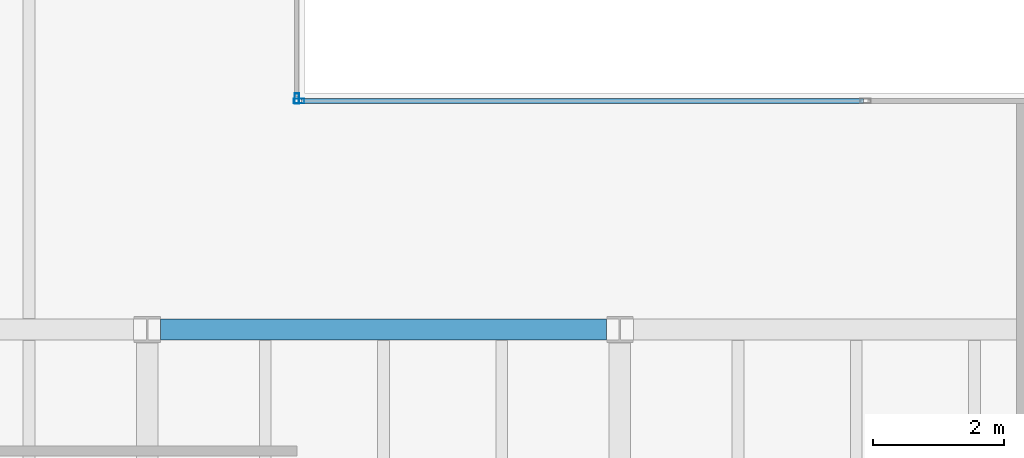
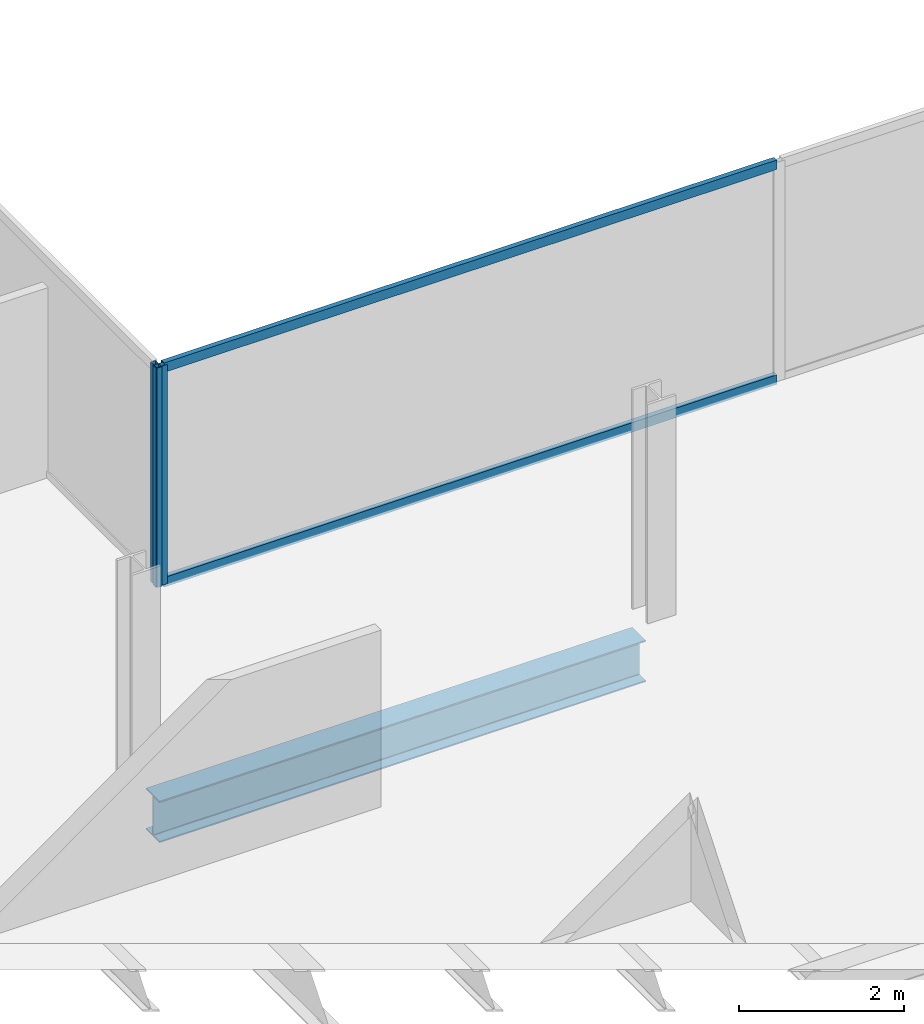
# One storey, part 8 of 23: 4 members, 1 beam, 2 elements without a shape of their own.
"""IFC4 building model written with IfcOpenShell, lengths in metres."""

from ifc_helpers import new_model, si_unit, direction, frame, origin, origin_2d, place, context, subcontext, project, spatial, hollow_rectangle, i_section, extrude, material, material_profile, profile_set, type_object, element, aggregate, save


model = new_model("IFC4")

# Units and contexts
model_context = context("Model", 3, precision=1e-05, world=origin(), true_north=direction((0.0, 1.0)))
body_context = subcontext(model_context, "Body", "Model", "MODEL_VIEW")
ifc_project = project(units=[si_unit("LENGTHUNIT", "METRE"), si_unit("AREAUNIT", "SQUARE_METRE"), si_unit("VOLUMEUNIT", "CUBIC_METRE"), si_unit("PLANEANGLEUNIT", "RADIAN"), si_unit("MASSUNIT", "GRAM", prefix="KILO")], contexts=[model_context])

# Site, building, storey
site_placement = place(None, origin())
site = spatial("IfcSite", under=ifc_project, at=site_placement, CompositionType="ELEMENT")
building_placement = place(site_placement, origin())
building = spatial("IfcBuilding", under=site, at=building_placement, Name="Cobrela Telecom Tower", CompositionType="ELEMENT")
storey_placement = place(building_placement, frame((0.0, 0.0, 222.25)))
storey = spatial("IfcBuildingStorey", under=building, at=storey_placement, Name="L57", CompositionType="ELEMENT", Elevation=222.25)

# Beam
ifc_material_1 = material(Name="Steel ASTM A992 Grade 50", Category="steel")
ifc_material_profile_1 = material_profile(ifc_material_1, i_section(OverallWidth=0.324951171875, OverallDepth=0.612060546875, WebThickness=0.0126953125, FlangeThickness=0.01904296875, FilletRadius=0.014892578125, at=origin_2d()), Name="W24X104")
ifc_profile_set_1 = profile_set([ifc_material_profile_1], Name="Steel ASTM A992 Grade 50")
beam_type = type_object("IfcBeamType", Name="BM-GIRD-07", PredefinedType="USERDEFINED", material=ifc_profile_set_1)
beam_placement = place(storey_placement, frame((21.804443359375, 21.60009765625, -0.56591796875), z_axis=(1.0, 0.0, 0.0), x_axis=(0.0, 1.0, 0.0)))
element("IfcBeam", 1, at=beam_placement, inside=storey, type_object=beam_type, Name="L57 Primary Girder X16", ObjectType="GIRDER", PredefinedType="USERDEFINED", context=body_context, shape_type="SweptSolid", body=[
    extrude(i_section(OverallWidth=0.324951171875, OverallDepth=0.612060546875, WebThickness=0.0126953125, FlangeThickness=0.01904296875, FilletRadius=0.014892578125, at=origin_2d()), origin(), (0.0, 0.0, 1.0), 6.791015625),
])

# Curtain wall, member
ifc_material_2 = material(Name="Anodized Bronze Aluminium 6063-T6", Category="aluminium")
curtain_wall_type = type_object("IfcCurtainWallType", Name="CW-SYS-OFF-LO", PredefinedType="USERDEFINED", material=ifc_material_2)
curtain_wall_1_placement = place(storey_placement, origin())
curtain_wall_1 = element("IfcCurtainWall", 2, at=curtain_wall_1_placement, inside=storey, type_object=curtain_wall_type, Name="L57 Unitised Bronze Curtain Wall 10", ObjectType="UNITISED CURTAIN WALL", PredefinedType="USERDEFINED")
ifc_material_profile_2 = material_profile(ifc_material_2, hollow_rectangle(XDim=0.070068359375, YDim=0.159912109375, WallThickness=0.00390625, at=origin_2d()), Name="ALU 70x160x4")
ifc_profile_set_2 = profile_set([ifc_material_profile_2], Name="Anodized Bronze Aluminium 6063-T6")
member_type_1 = type_object("IfcMemberType", Name="CW-SYS-OFF-LO-MUL", PredefinedType="MULLION", material=ifc_profile_set_2)
member_1_placement = place(storey_placement, frame((23.8798828125, 25.114990234375, 0.0), z_axis=(0.0, 0.0, 1.0), x_axis=(1.0, 0.0, 0.0)))
member_1 = element("IfcMember", 3, at=member_1_placement, type_object=member_type_1, Name="CW-OFF-LO mullion 3", PredefinedType="MULLION", context=body_context, shape_type="SweptSolid", body=[
    extrude(hollow_rectangle(XDim=0.070068359375, YDim=0.159912109375, WallThickness=0.00390625, at=origin_2d()), origin(), (0.0, 0.0, 1.0), 3.239990234375),
])
aggregate(curtain_wall_1, [member_1])

# Curtain wall, members
curtain_wall_2_placement = place(storey_placement, origin())
curtain_wall_2 = element("IfcCurtainWall", 4, at=curtain_wall_2_placement, inside=storey, type_object=curtain_wall_type, Name="L57 Unitised Bronze Curtain Wall 11", ObjectType="UNITISED CURTAIN WALL", PredefinedType="USERDEFINED")
member_2_placement = place(storey_placement, frame((23.9150390625, 25.080078125, 0.0), z_axis=(0.0, 0.0, 1.0), x_axis=(0.0, 1.0, 0.0)))
member_2 = element("IfcMember", 5, at=member_2_placement, type_object=member_type_1, Name="CW-OFF-LO mullion 1", PredefinedType="MULLION", context=body_context, shape_type="SweptSolid", body=[
    extrude(hollow_rectangle(XDim=0.070068359375, YDim=0.159912109375, WallThickness=0.00390625, at=origin_2d()), origin(), (0.0, 0.0, 1.0), 3.239990234375),
])
ifc_material_profile_3 = material_profile(ifc_material_2, hollow_rectangle(XDim=0.070068359375, YDim=0.139892578125, WallThickness=0.00390625, at=origin_2d()), Name="ALU 70x140x4")
ifc_profile_set_3 = profile_set([ifc_material_profile_3], Name="Anodized Bronze Aluminium 6063-T6")
member_type_2 = type_object("IfcMemberType", Name="CW-SYS-OFF-LO-TRN", PredefinedType="USERDEFINED", material=ifc_profile_set_3)
member_3_placement = place(storey_placement, frame((23.949951171875, 25.080078125, 0.034912109375), z_axis=(1.0, 0.0, 0.0), x_axis=(0.0, 1.0, 0.0)))
member_3 = element("IfcMember", 6, at=member_3_placement, type_object=member_type_2, Name="CW-OFF-LO transom 1.1", ObjectType="TRANSOM", PredefinedType="USERDEFINED", context=body_context, shape_type="SweptSolid", body=[
    extrude(hollow_rectangle(XDim=0.070068359375, YDim=0.139892578125, WallThickness=0.00390625, at=origin_2d()), origin(), (0.0, 0.0, 1.0), 8.56005859375),
])
member_4_placement = place(storey_placement, frame((23.949951171875, 25.080078125, 3.205078125), z_axis=(1.0, 0.0, 0.0), x_axis=(0.0, 1.0, 0.0)))
member_4 = element("IfcMember", 7, at=member_4_placement, type_object=member_type_2, Name="CW-OFF-LO transom 1.2", ObjectType="TRANSOM", PredefinedType="USERDEFINED", context=body_context, shape_type="SweptSolid", body=[
    extrude(hollow_rectangle(XDim=0.070068359375, YDim=0.139892578125, WallThickness=0.00390625, at=origin_2d()), origin(), (0.0, 0.0, 1.0), 8.56005859375),
])
aggregate(curtain_wall_2, [member_2, member_3, member_4])

save(model, "model.ifc")
